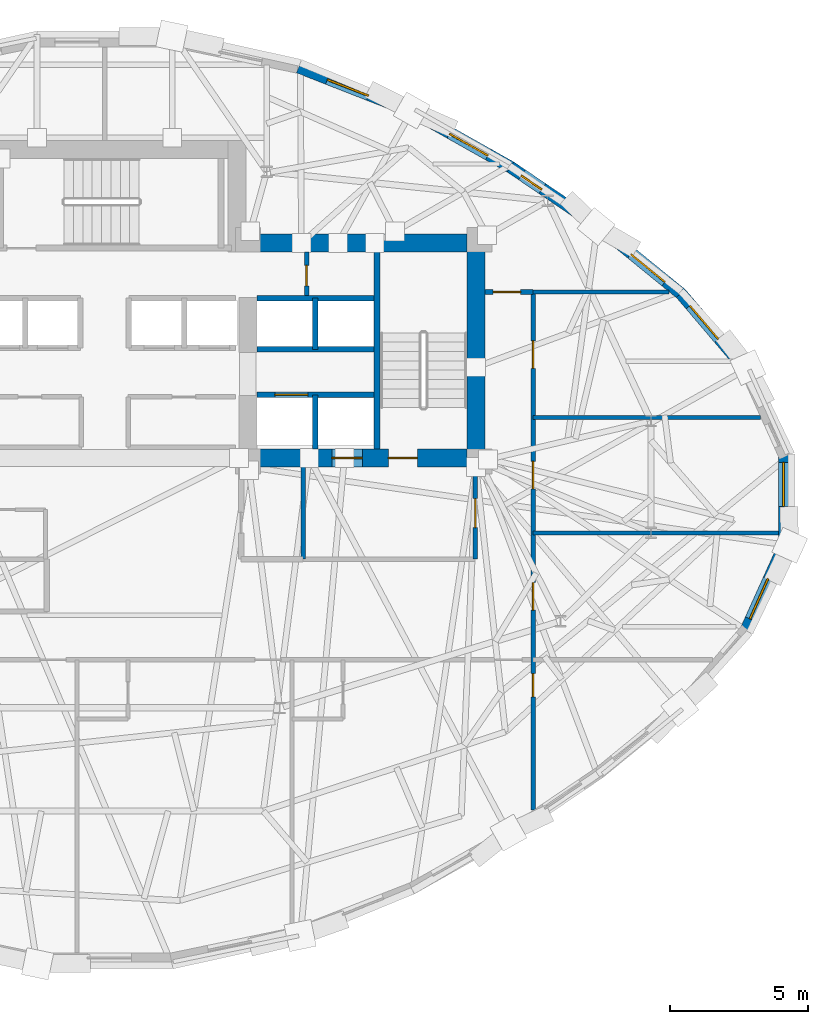
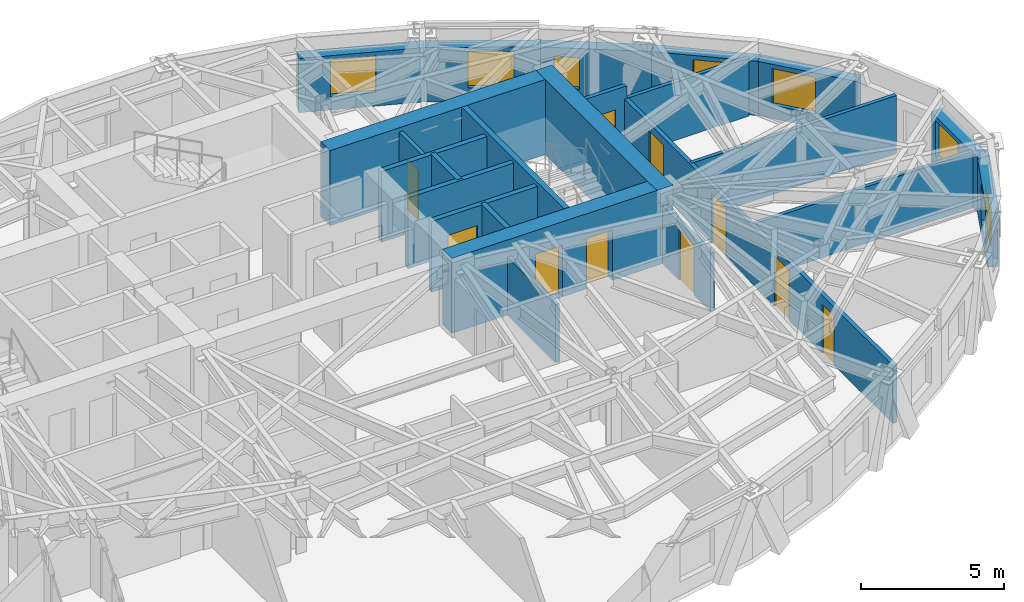
# One storey, part 9 of 14: 24 walls, 10 doors, 7 windows, 17 openings.
"""IFC4 building model written with IfcOpenShell, lengths in metres."""

from ifc_helpers import new_model, si_unit, direction, frame, frame_2d, origin, place, context, subcontext, project, spatial, rectangle, extrude, material, layer, layer_set, type_object, element, fill, save


model = new_model("IFC4")

# Units and contexts
model_context = context("Model", 3, precision=1e-05, world=origin(), true_north=direction((0.0, 1.0)))
body_context = subcontext(model_context, "Body", "Model", "MODEL_VIEW")
ifc_project = project(units=[si_unit("LENGTHUNIT", "METRE"), si_unit("AREAUNIT", "SQUARE_METRE"), si_unit("VOLUMEUNIT", "CUBIC_METRE"), si_unit("PLANEANGLEUNIT", "RADIAN"), si_unit("MASSUNIT", "GRAM", prefix="KILO")], contexts=[model_context])

# Site, building, storey
site_placement = place(None, origin())
site = spatial("IfcSite", under=ifc_project, at=site_placement, CompositionType="ELEMENT")
building_placement = place(site_placement, origin())
building = spatial("IfcBuilding", under=site, at=building_placement, Name="Keldmark Tower", CompositionType="ELEMENT")
storey_placement = place(building_placement, frame((0.0, 0.0, 182.199951171875)))
storey = spatial("IfcBuildingStorey", under=building, at=storey_placement, Name="L50", CompositionType="ELEMENT", Elevation=182.199951171875)

# Wall
ifc_material_1 = material(Name="Type X Fire-Rated Gypsum Partition Assembly", Category="gypsum")
ifc_layer_1 = layer(ifc_material_1, 0.1650390625)
ifc_layer_set_1 = layer_set([ifc_layer_1], Name="Type X Fire-Rated Gypsum Partition Assembly")
wall_type_1 = type_object("IfcWallType", Name="Rated Partition 165 mm", PredefinedType="PARTITIONING", material=ifc_layer_set_1)
wall_1_placement = place(storey_placement, frame((7.199951171875, -2.14990234375, 0.0), z_axis=(0.0, 0.0, 1.0), x_axis=(0.0, 1.0, 0.0)))
element("IfcWall", 1, at=wall_1_placement, inside=storey, type_object=wall_type_1, Name="L50 Rated Partition 165 mm FSAE-E-W", PredefinedType="PARTITIONING", context=body_context, shape_type="SweptSolid", body=[
    extrude(rectangle(XDim=3.39990234375, YDim=0.1650390625, at=frame_2d((1.699951171875, 0.0))), origin(), (0.0, 0.0, 1.0), 2.47314453125),
])

# Wall, opening, door
wall_2_placement = place(storey_placement, frame((13.449951171875, -2.14990234375, 0.0), z_axis=(0.0, 0.0, 1.0), x_axis=(0.0, 1.0, 0.0)))
wall_2 = element("IfcWall", 2, at=wall_2_placement, inside=storey, type_object=wall_type_1, Name="L50 Rated Partition 165 mm FSAE-E-E", PredefinedType="PARTITIONING", context=body_context, shape_type="SweptSolid", body=[
    extrude(rectangle(XDim=3.39990234375, YDim=0.1650390625, at=frame_2d((1.699951171875, 0.0))), origin(), (0.0, 0.0, 1.0), 2.47314453125),
])
opening_1_placement = place(wall_2_placement, frame((1.14990234375, 0.0, 0.0)))
opening_1 = element("IfcOpeningElement", 3, at=opening_1_placement, cuts=wall_2, Name="Opening D-FL105", PredefinedType="OPENING", context=body_context, shape_type="SweptSolid", body=[
    extrude(rectangle(XDim=1.050048828125, YDim=2.14990234375, at=frame_2d((0.52490234375, 1.074951171875))), frame((0.0, 0.092529296875, 0.0), z_axis=(0.0, -1.0, 0.0), x_axis=(1.0, 0.0, 0.0)), (0.0, 0.0, 1.0), 0.18505859375),
])
ifc_material_2 = material(Name="Fire-Rated Mineral-Core Door and Vision Lite", Category="metal")
door_type_1 = type_object("IfcDoorType", Name="Fire Lobby Door 1050x2150", OperationType="NOTDEFINED", PredefinedType="DOOR", material=ifc_material_2)
door_1_placement = place(opening_1_placement, origin())
door_1 = element("IfcDoor", 4, at=door_1_placement, inside=storey, type_object=door_type_1, Name="L50 Fire Lobby Door 1050x2150 D-FSAEE-OUT-L50", OperationType="SINGLE_SWING_LEFT", OverallHeight=2.14990234375, OverallWidth=1.050048828125, PredefinedType="DOOR", context=body_context, shape_type="SweptSolid", body=[
    extrude(rectangle(XDim=1.050048828125, YDim=2.14990234375, at=frame_2d((0.52490234375, 1.074951171875))), frame((0.0, 0.02490234375, 0.0), z_axis=(0.0, -1.0, 0.0), x_axis=(1.0, 0.0, 0.0)), (0.0, 0.0, 1.0), 0.050048828125),
])
fill(opening_1, door_1)

wall_3_placement = place(storey_placement, frame((7.330078125, 7.419921875, 0.0), z_axis=(0.0, 0.0, 1.0), x_axis=(0.0, 1.0, 0.0)))
wall_3 = element("IfcWall", 5, at=wall_3_placement, inside=storey, type_object=wall_type_1, Name="L50 Rated Partition 165 mm CS-NE-W", PredefinedType="PARTITIONING", context=body_context, shape_type="SweptSolid", body=[
    extrude(rectangle(XDim=1.580078125, YDim=0.1650390625, at=frame_2d((0.7900390625, 0.0))), origin(), (0.0, 0.0, 1.0), 3.02001953125),
])
opening_2_placement = place(wall_3_placement, frame((0.35009765625, 0.0, 0.0)))
opening_2 = element("IfcOpeningElement", 6, at=opening_2_placement, cuts=wall_3, Name="Opening D-RS075", PredefinedType="OPENING", context=body_context, shape_type="SweptSolid", body=[
    extrude(rectangle(XDim=0.75, YDim=2.10009765625, at=frame_2d((0.375, 1.050048828125))), frame((0.0, 0.092529296875, 0.0), z_axis=(0.0, -1.0, 0.0), x_axis=(1.0, 0.0, 0.0)), (0.0, 0.0, 1.0), 0.18505859375),
])
ifc_material_3 = material(Name="Galvanized Fire-Rated Access Leaf", Category="metal")
door_type_2 = type_object("IfcDoorType", Name="Riser Access Door 750x2100", OperationType="NOTDEFINED", PredefinedType="DOOR", material=ifc_material_3)
door_2_placement = place(opening_2_placement, origin())
door_2 = element("IfcDoor", 7, at=door_2_placement, inside=storey, type_object=door_type_2, Name="L50 Riser Access Door 750x2100 D-CSNE1-L50", OperationType="SINGLE_SWING_LEFT", OverallHeight=2.10009765625, OverallWidth=0.75, PredefinedType="DOOR", context=body_context, shape_type="SweptSolid", body=[
    extrude(rectangle(XDim=0.75, YDim=2.10009765625, at=frame_2d((0.375, 1.050048828125))), frame((0.0, 0.02490234375, 0.0), z_axis=(0.0, -1.0, 0.0), x_axis=(1.0, 0.0, 0.0)), (0.0, 0.0, 1.0), 0.050048828125),
])
fill(opening_2, door_2)

# Wall, openings, doors
wall_4_placement = place(storey_placement, frame((15.550048828125, -11.2568359375, 0.0), z_axis=(0.0, 0.0, 1.0), x_axis=(0.0, 1.0, 0.0)))
wall_4 = element("IfcWall", 8, at=wall_4_placement, inside=storey, type_object=wall_type_1, Name="L50 Rated Partition 165 mm HCOR-E", PredefinedType="PARTITIONING", context=body_context, shape_type="SweptSolid", body=[
    extrude(rectangle(XDim=18.806884765625, YDim=0.1650390625, at=frame_2d((9.4033203125, 0.0))), origin(), (0.0, 0.0, 1.0), 2.47314453125),
])
opening_3_placement = place(wall_4_placement, frame((4.1064453125, 0.0, 0.0)))
opening_3 = element("IfcOpeningElement", 9, at=opening_3_placement, cuts=wall_4, Name="Opening D-IN085", PredefinedType="OPENING", context=body_context, shape_type="SweptSolid", body=[
    extrude(rectangle(XDim=0.85009765625, YDim=2.10009765625, at=frame_2d((0.425048828125, 1.050048828125))), frame((0.0, 0.092529296875, 0.0), z_axis=(0.0, -1.0, 0.0), x_axis=(1.0, 0.0, 0.0)), (0.0, 0.0, 1.0), 0.18505859375),
])
opening_4_placement = place(wall_4_placement, frame((7.256591796875, 0.0, 0.0)))
opening_4 = element("IfcOpeningElement", 10, at=opening_4_placement, cuts=wall_4, Name="Opening D-FD100", PredefinedType="OPENING", context=body_context, shape_type="SweptSolid", body=[
    extrude(rectangle(XDim=1.0, YDim=2.14990234375, at=frame_2d((0.5, 1.074951171875))), frame((0.0, 0.092529296875, 0.0), z_axis=(0.0, -1.0, 0.0), x_axis=(1.0, 0.0, 0.0)), (0.0, 0.0, 1.0), 0.18505859375),
])
opening_5_placement = place(wall_4_placement, frame((11.656494140625, 0.0, 0.0)))
opening_5 = element("IfcOpeningElement", 11, at=opening_5_placement, cuts=wall_4, Name="Opening D-FD100", PredefinedType="OPENING", context=body_context, shape_type="SweptSolid", body=[
    extrude(rectangle(XDim=1.0, YDim=2.14990234375, at=frame_2d((0.5, 1.074951171875))), frame((0.0, 0.092529296875, 0.0), z_axis=(0.0, -1.0, 0.0), x_axis=(1.0, 0.0, 0.0)), (0.0, 0.0, 1.0), 0.18505859375),
])
opening_6_placement = place(wall_4_placement, frame((16.031494140625, 0.0, 0.0)))
opening_6 = element("IfcOpeningElement", 12, at=opening_6_placement, cuts=wall_4, Name="Opening D-FD100", PredefinedType="OPENING", context=body_context, shape_type="SweptSolid", body=[
    extrude(rectangle(XDim=1.0, YDim=2.14990234375, at=frame_2d((0.5, 1.074951171875))), frame((0.0, 0.092529296875, 0.0), z_axis=(0.0, -1.0, 0.0), x_axis=(1.0, 0.0, 0.0)), (0.0, 0.0, 1.0), 0.18505859375),
])
ifc_material_4 = material(Name="Hollow Metal Fire-Rated Corridor Door", Category="metal")
door_type_3 = type_object("IfcDoorType", Name="Fire Door 1000x2150", OperationType="NOTDEFINED", PredefinedType="DOOR", material=ifc_material_4)
door_3_placement = place(opening_4_placement, origin())
door_3 = element("IfcDoor", 13, at=door_3_placement, inside=storey, type_object=door_type_3, Name="L50 Fire Door 1000x2150 D-HESP-1-L50", OperationType="SINGLE_SWING_RIGHT", OverallHeight=2.14990234375, OverallWidth=1.0, PredefinedType="DOOR", context=body_context, shape_type="SweptSolid", body=[
    extrude(rectangle(XDim=1.0, YDim=2.14990234375, at=frame_2d((0.5, 1.074951171875))), frame((0.0, 0.02490234375, 0.0), z_axis=(0.0, -1.0, 0.0), x_axis=(1.0, 0.0, 0.0)), (0.0, 0.0, 1.0), 0.050048828125),
])
fill(opening_4, door_3)
door_4_placement = place(opening_5_placement, origin())
door_4 = element("IfcDoor", 14, at=door_4_placement, inside=storey, type_object=door_type_3, Name="L50 Fire Door 1000x2150 D-HESP-2-L50", OperationType="SINGLE_SWING_LEFT", OverallHeight=2.14990234375, OverallWidth=1.0, PredefinedType="DOOR", context=body_context, shape_type="SweptSolid", body=[
    extrude(rectangle(XDim=1.0, YDim=2.14990234375, at=frame_2d((0.5, 1.074951171875))), frame((0.0, 0.02490234375, 0.0), z_axis=(0.0, -1.0, 0.0), x_axis=(1.0, 0.0, 0.0)), (0.0, 0.0, 1.0), 0.050048828125),
])
fill(opening_5, door_4)
door_5_placement = place(opening_6_placement, origin())
door_5 = element("IfcDoor", 15, at=door_5_placement, inside=storey, type_object=door_type_3, Name="L50 Fire Door 1000x2150 D-HESP-3-L50", OperationType="SINGLE_SWING_LEFT", OverallHeight=2.14990234375, OverallWidth=1.0, PredefinedType="DOOR", context=body_context, shape_type="SweptSolid", body=[
    extrude(rectangle(XDim=1.0, YDim=2.14990234375, at=frame_2d((0.5, 1.074951171875))), frame((0.0, 0.02490234375, 0.0), z_axis=(0.0, -1.0, 0.0), x_axis=(1.0, 0.0, 0.0)), (0.0, 0.0, 1.0), 0.050048828125),
])
fill(opening_6, door_5)
ifc_material_5 = material(Name="Painted Architectural Wood", Category="wood")
door_type_4 = type_object("IfcDoorType", Name="Interior Door 850x2100", OperationType="NOTDEFINED", PredefinedType="DOOR", material=ifc_material_5)
door_6_placement = place(opening_3_placement, origin())
door_6 = element("IfcDoor", 16, at=door_6_placement, inside=storey, type_object=door_type_4, Name="L50 Interior Door 850x2100 D-HKSE-L50", OperationType="SINGLE_SWING_RIGHT", OverallHeight=2.10009765625, OverallWidth=0.85009765625, PredefinedType="DOOR", context=body_context, shape_type="SweptSolid", body=[
    extrude(rectangle(XDim=0.85009765625, YDim=2.10009765625, at=frame_2d((0.425048828125, 1.050048828125))), frame((0.0, 0.02490234375, 0.0), z_axis=(0.0, -1.0, 0.0), x_axis=(1.0, 0.0, 0.0)), (0.0, 0.0, 1.0), 0.050048828125),
])
fill(opening_3, door_6)

# Wall, opening, door
wall_5_placement = place(storey_placement, frame((13.800048828125, 7.550048828125, 0.0), z_axis=(0.0, 0.0, 1.0), x_axis=(1.0, 0.0, 0.0)))
wall_5 = element("IfcWall", 17, at=wall_5_placement, inside=storey, type_object=wall_type_1, Name="L50 Rated Partition 165 mm HCOR-EN", PredefinedType="PARTITIONING", context=body_context, shape_type="SweptSolid", body=[
    extrude(rectangle(XDim=1.75, YDim=0.1650390625, at=frame_2d((0.875, 0.0))), origin(), (0.0, 0.0, 1.0), 3.02001953125),
])
opening_7_placement = place(wall_5_placement, frame((0.300048828125, 0.0, 0.0)))
opening_7 = element("IfcOpeningElement", 18, at=opening_7_placement, cuts=wall_5, Name="Opening D-FD100", PredefinedType="OPENING", context=body_context, shape_type="SweptSolid", body=[
    extrude(rectangle(XDim=1.0, YDim=2.14990234375, at=frame_2d((0.5, 1.074951171875))), frame((0.0, 0.092529296875, 0.0), z_axis=(0.0, -1.0, 0.0), x_axis=(1.0, 0.0, 0.0)), (0.0, 0.0, 1.0), 0.18505859375),
])
door_7_placement = place(opening_7_placement, origin())
door_7 = element("IfcDoor", 19, at=door_7_placement, inside=storey, type_object=door_type_3, Name="L50 Fire Door 1000x2150 D-HNNE-L50", OperationType="SINGLE_SWING_RIGHT", OverallHeight=2.14990234375, OverallWidth=1.0, PredefinedType="DOOR", context=body_context, shape_type="SweptSolid", body=[
    extrude(rectangle(XDim=1.0, YDim=2.14990234375, at=frame_2d((0.5, 1.074951171875))), frame((0.0, 0.02490234375, 0.0), z_axis=(0.0, -1.0, 0.0), x_axis=(1.0, 0.0, 0.0)), (0.0, 0.0, 1.0), 0.050048828125),
])
fill(opening_7, door_7)

ifc_material_6 = material(Name="Fire-Resistant Type X Gypsum Shaftliner Coreboard", Category="gypsum")
ifc_layer_2 = layer(ifc_material_6, 0.199951171875)
ifc_layer_set_2 = layer_set([ifc_layer_2], Name="Fire-Resistant Type X Gypsum Shaftliner Coreboard")
wall_type_2 = type_object("IfcWallType", Name="Shaft Wall 200 mm", PredefinedType="SOLIDWALL", material=ifc_layer_set_2)
wall_6_placement = place(storey_placement, frame((5.52490234375, 3.820068359375, 0.0), z_axis=(0.0, 0.0, 1.0), x_axis=(1.0, 0.0, 0.0)))
wall_6 = element("IfcWall", 20, at=wall_6_placement, inside=storey, type_object=wall_type_2, Name="L50 Shaft Wall 200 mm HW-E-S", PredefinedType="SOLIDWALL", context=body_context, shape_type="SweptSolid", body=[
    extrude(rectangle(XDim=4.255126953125, YDim=0.199951171875, at=frame_2d((2.12744140625, 0.0))), origin(), (0.0, 0.0, 1.0), 3.02001953125),
])
opening_8_placement = place(wall_6_placement, frame((0.64990234375, 0.0, 0.0)))
opening_8 = element("IfcOpeningElement", 21, at=opening_8_placement, cuts=wall_6, Name="Opening LD-120", PredefinedType="OPENING", context=body_context, shape_type="SweptSolid", body=[
    extrude(rectangle(XDim=1.199951171875, YDim=2.199951171875, at=frame_2d((0.60009765625, 1.10009765625))), frame((0.0, 0.10986328125, 0.0), z_axis=(0.0, -1.0, 0.0), x_axis=(1.0, 0.0, 0.0)), (0.0, 0.0, 1.0), 0.219970703125),
])
ifc_material_7 = material(Name="Heavy-Duty Brushed Metal Hoistway Sliding Leaf", Category="metal")
door_type_5 = type_object("IfcDoorType", Name="Service Lift Sliding Door 1200x2200", OperationType="SLIDING_TO_RIGHT", PredefinedType="DOOR", material=ifc_material_7)
door_8_placement = place(opening_8_placement, origin())
door_8 = element("IfcDoor", 22, at=door_8_placement, inside=storey, type_object=door_type_5, Name="L50 Service Lift Sliding Door 1200x2200 LD-EL-SV1-L50", OperationType="SLIDING_TO_RIGHT", OverallHeight=2.199951171875, OverallWidth=1.199951171875, PredefinedType="DOOR", context=body_context, shape_type="SweptSolid", body=[
    extrude(rectangle(XDim=1.199951171875, YDim=2.199951171875, at=frame_2d((0.60009765625, 1.10009765625))), frame((0.0, 0.02490234375, 0.0), z_axis=(0.0, -1.0, 0.0), x_axis=(1.0, 0.0, 0.0)), (0.0, 0.0, 1.0), 0.050048828125),
])
fill(opening_8, door_8)

# Walls
wall_7_placement = place(storey_placement, frame((7.64990234375, 1.85009765625, 0.0), z_axis=(0.0, 0.0, 1.0), x_axis=(0.0, 1.0, 0.0)))
element("IfcWall", 23, at=wall_7_placement, inside=storey, type_object=wall_type_2, Name="L50 Shaft Wall 200 mm HW-E-M", PredefinedType="SOLIDWALL", context=body_context, shape_type="SweptSolid", body=[
    extrude(rectangle(XDim=1.969970703125, YDim=0.199951171875, at=frame_2d((0.98486328125, 0.0))), origin(), (0.0, 0.0, 1.0), 3.02001953125),
])
for number, where, z_axis, x_axis, name in (
    (24, (5.52490234375, 5.469970703125, 0.0), (0.0, 0.0, 1.0), (1.0, 0.0, 0.0), "L50 Shaft Wall 200 mm HW-E-N"),
    (25, (5.52490234375, 7.330078125, 0.0), (0.0, 0.0, 1.0), (1.0, 0.0, 0.0), "L50 Shaft Wall 200 mm HW-E-TOP"),
):
    element("IfcWall", number, at=place(storey_placement, frame(where, z_axis=z_axis, x_axis=x_axis)), inside=storey, type_object=wall_type_2, Name=name, PredefinedType="SOLIDWALL", context=body_context, shape_type="SweptSolid", body=[
        extrude(rectangle(XDim=4.255126953125, YDim=0.199951171875, at=frame_2d((2.12744140625, 0.0))), origin(), (0.0, 0.0, 1.0), 3.02001953125),
    ])
wall_8_placement = place(storey_placement, frame((7.64990234375, 5.469970703125, 0.0), z_axis=(0.0, 0.0, 1.0), x_axis=(0.0, 1.0, 0.0)))
element("IfcWall", 26, at=wall_8_placement, inside=storey, type_object=wall_type_2, Name="L50 Shaft Wall 200 mm HW-E-NM", PredefinedType="SOLIDWALL", context=body_context, shape_type="SweptSolid", body=[
    extrude(rectangle(XDim=1.860107421875, YDim=0.199951171875, at=frame_2d((0.93017578125, 0.0))), origin(), (0.0, 0.0, 1.0), 3.02001953125),
])
ifc_material_8 = material(Name="Concrete C50/60", Category="concrete")
ifc_layer_3 = layer(ifc_material_8, 0.219970703125)
ifc_layer_set_3 = layer_set([ifc_layer_3], Name="Concrete C50/60")
wall_type_3 = type_object("IfcWallType", Name="Stair Core Shear Wall 220 mm", PredefinedType="SHEAR", material=ifc_layer_set_3)
wall_9_placement = place(storey_placement, frame((9.889892578125, 1.85009765625, 0.0), z_axis=(0.0, 0.0, 1.0), x_axis=(0.0, 1.0, 0.0)))
element("IfcWall", 27, at=wall_9_placement, inside=storey, type_object=wall_type_3, Name="L50 East Stair Core Shear Wall", PredefinedType="SHEAR", context=body_context, shape_type="SweptSolid", body=[
    extrude(rectangle(XDim=7.14990234375, YDim=0.219970703125, at=frame_2d((3.574951171875, 0.0))), origin(), (0.0, 0.0, 1.0), 3.199951171875),
])

# Wall, opening, window
ifc_material_9 = material(Name="Ironspot Manganese Brick and Kasota Buff Limestone Spandrel Assembly", Category="masonry")
ifc_layer_4 = layer(ifc_material_9, 0.43994140625)
ifc_layer_set_4 = layer_set([ifc_layer_4], Name="Ironspot Manganese Brick and Kasota Buff Limestone Spandrel Assembly")
wall_type_4 = type_object("IfcWallType", Name="Tower Brick Pier and Spandrel Wall 440 mm", PredefinedType="STANDARD", material=ifc_layer_set_4)
wall_10_placement = place(storey_placement, frame((20.914306640625, 7.49658203125, 0.0), z_axis=(0.0, 0.0, 1.0), x_axis=(0.648014991522, -0.761627580096, 0.0)))
wall_10 = element("IfcWall", 28, at=wall_10_placement, inside=storey, type_object=wall_type_4, Name="L50 Exterior Brick and Spandrel Wall 02", PredefinedType="STANDARD", context=body_context, shape_type="SweptSolid", body=[
    extrude(rectangle(XDim=3.69189453125, YDim=0.43994140625, at=frame_2d((1.845947265625, 0.0))), origin(), (0.0, 0.0, 1.0), 2.31494140625),
])
opening_9_placement = place(wall_10_placement, frame((0.54833984375, 0.0, 0.580078125)))
opening_9 = element("IfcOpeningElement", 29, at=opening_9_placement, cuts=wall_10, Name="Opening W-04", PredefinedType="OPENING", context=body_context, shape_type="SweptSolid", body=[
    extrude(rectangle(XDim=1.60009765625, YDim=1.550048828125, at=frame_2d((0.800048828125, 0.77490234375))), frame((0.0, 0.22998046875, 0.0), z_axis=(0.0, -1.0, 0.0), x_axis=(1.0, 0.0, 0.0)), (0.0, 0.0, 1.0), 0.4599609375),
])
ifc_material_10 = material(Name="Thermally Broken Anodized Aluminum and Triple Low-E Argon Glazing", Category="aluminium")
window_type_1 = type_object("IfcWindowType", Name="Hotel Deep-Set Operable Window 1600x1550", PartitioningType="DOUBLE_PANEL_HORIZONTAL", PredefinedType="WINDOW", material=ifc_material_10)
window_1_placement = place(opening_9_placement, origin())
window_1 = element("IfcWindow", 30, at=window_1_placement, inside=storey, type_object=window_type_1, Name="L50 Deep-Set Window 02", OverallHeight=1.550048828125, OverallWidth=1.60009765625, PartitioningType="SINGLE_PANEL", PredefinedType="WINDOW", context=body_context, shape_type="SweptSolid", body=[
    extrude(rectangle(XDim=1.60009765625, YDim=1.550048828125, at=frame_2d((0.800048828125, 0.77490234375))), frame((0.0, -0.010009765625, 0.0), z_axis=(0.0, -1.0, 0.0), x_axis=(1.0, 0.0, 0.0)), (0.0, 0.0, 1.0), 0.06005859375),
])
fill(opening_9, window_1)

wall_11_placement = place(storey_placement, frame((17.96044921875, 9.899169921875, 0.0), z_axis=(0.0, 0.0, 1.0), x_axis=(0.77522232587, -0.631688487684, 0.0)))
wall_11 = element("IfcWall", 31, at=wall_11_placement, inside=storey, type_object=wall_type_4, Name="L50 Exterior Brick and Spandrel Wall 03", PredefinedType="STANDARD", context=body_context, shape_type="SweptSolid", body=[
    extrude(rectangle(XDim=3.847412109375, YDim=0.43994140625, at=frame_2d((1.923828125, 0.0))), origin(), (0.0, 0.0, 1.0), 2.31494140625),
])
opening_10_placement = place(wall_11_placement, frame((1.498291015625, 0.0, 0.580078125)))
opening_10 = element("IfcOpeningElement", 32, at=opening_10_placement, cuts=wall_11, Name="Opening W-04", PredefinedType="OPENING", context=body_context, shape_type="SweptSolid", body=[
    extrude(rectangle(XDim=1.60009765625, YDim=1.550048828125, at=frame_2d((0.800048828125, 0.77490234375))), frame((0.0, 0.22998046875, 0.0), z_axis=(0.0, -1.0, 0.0), x_axis=(1.0, 0.0, 0.0)), (0.0, 0.0, 1.0), 0.4599609375),
])
window_2_placement = place(opening_10_placement, origin())
window_2 = element("IfcWindow", 33, at=window_2_placement, inside=storey, type_object=window_type_1, Name="L50 Deep-Set Window 03", OverallHeight=1.550048828125, OverallWidth=1.60009765625, PartitioningType="SINGLE_PANEL", PredefinedType="WINDOW", context=body_context, shape_type="SweptSolid", body=[
    extrude(rectangle(XDim=1.60009765625, YDim=1.550048828125, at=frame_2d((0.800048828125, 0.77490234375))), frame((0.0, -0.010009765625, 0.0), z_axis=(0.0, -1.0, 0.0), x_axis=(1.0, 0.0, 0.0)), (0.0, 0.0, 1.0), 0.06005859375),
])
fill(opening_10, window_2)

wall_12_placement = place(storey_placement, frame((14.73046875, 12.087890625, 0.0), z_axis=(0.0, 0.0, 1.0), x_axis=(0.827733986143, -0.561120707321, 0.0)))
wall_12 = element("IfcWall", 34, at=wall_12_placement, inside=storey, type_object=wall_type_4, Name="L50 Exterior Brick and Spandrel Wall 04", PredefinedType="STANDARD", context=body_context, shape_type="SweptSolid", body=[
    extrude(rectangle(XDim=3.921142578125, YDim=0.43994140625, at=frame_2d((1.96044921875, 0.0))), origin(), (0.0, 0.0, 1.0), 2.31494140625),
])
opening_11_placement = place(wall_12_placement, frame((0.49658203125, 0.0, 0.580078125)))
opening_11 = element("IfcOpeningElement", 35, at=opening_11_placement, cuts=wall_12, Name="Opening W-09", PredefinedType="OPENING", context=body_context, shape_type="SweptSolid", body=[
    extrude(rectangle(XDim=0.89990234375, YDim=1.35009765625, at=frame_2d((0.449951171875, 0.675048828125))), frame((0.0, 0.22998046875, 0.0), z_axis=(0.0, -1.0, 0.0), x_axis=(1.0, 0.0, 0.0)), (0.0, 0.0, 1.0), 0.4599609375),
])
ifc_material_11 = material(Name="Thermally Broken Anodized Aluminum and Triple Low-E Argon Glazing", Category="aluminium")
window_type_2 = type_object("IfcWindowType", Name="Corner Pier Deep-Set Window 900x1350", PartitioningType="SINGLE_PANEL", PredefinedType="WINDOW", material=ifc_material_11)
window_3_placement = place(opening_11_placement, origin())
window_3 = element("IfcWindow", 36, at=window_3_placement, inside=storey, type_object=window_type_2, Name="L50 Deep-Set Window 04", OverallHeight=1.35009765625, OverallWidth=0.89990234375, PartitioningType="SINGLE_PANEL", PredefinedType="WINDOW", context=body_context, shape_type="SweptSolid", body=[
    extrude(rectangle(XDim=0.89990234375, YDim=1.35009765625, at=frame_2d((0.449951171875, 0.675048828125))), frame((0.0, -0.010009765625, 0.0), z_axis=(0.0, -1.0, 0.0), x_axis=(1.0, 0.0, 0.0)), (0.0, 0.0, 1.0), 0.06005859375),
])
fill(opening_11, window_3)

wall_13_placement = place(storey_placement, frame((11.160400390625, 14.100341796875, 0.0), z_axis=(0.0, 0.0, 1.0), x_axis=(0.871039635509, -0.491212737388, 0.0)))
wall_13 = element("IfcWall", 37, at=wall_13_placement, inside=storey, type_object=wall_type_4, Name="L50 Exterior Brick and Spandrel Wall 05", PredefinedType="STANDARD", context=body_context, shape_type="SweptSolid", body=[
    extrude(rectangle(XDim=4.1162109375, YDim=0.43994140625, at=frame_2d((2.05810546875, 0.0))), origin(), (0.0, 0.0, 1.0), 2.31494140625),
])
opening_12_placement = place(wall_13_placement, frame((1.577880859375, 0.0, 0.580078125)))
opening_12 = element("IfcOpeningElement", 38, at=opening_12_placement, cuts=wall_13, Name="Opening W-04", PredefinedType="OPENING", context=body_context, shape_type="SweptSolid", body=[
    extrude(rectangle(XDim=1.60009765625, YDim=1.550048828125, at=frame_2d((0.800048828125, 0.77490234375))), frame((0.0, 0.22998046875, 0.0), z_axis=(0.0, -1.0, 0.0), x_axis=(1.0, 0.0, 0.0)), (0.0, 0.0, 1.0), 0.4599609375),
])
window_4_placement = place(opening_12_placement, origin())
window_4 = element("IfcWindow", 39, at=window_4_placement, inside=storey, type_object=window_type_1, Name="L50 Deep-Set Window 05", OverallHeight=1.550048828125, OverallWidth=1.60009765625, PartitioningType="SINGLE_PANEL", PredefinedType="WINDOW", context=body_context, shape_type="SweptSolid", body=[
    extrude(rectangle(XDim=1.60009765625, YDim=1.550048828125, at=frame_2d((0.800048828125, 0.77490234375))), frame((0.0, -0.010009765625, 0.0), z_axis=(0.0, -1.0, 0.0), x_axis=(1.0, 0.0, 0.0)), (0.0, 0.0, 1.0), 0.06005859375),
])
fill(opening_12, window_4)

wall_14_placement = place(storey_placement, frame((7.040771484375, 15.708740234375, 0.0), z_axis=(0.0, 0.0, 1.0), x_axis=(0.93133333838, -0.364167836062, 0.0)))
wall_14 = element("IfcWall", 40, at=wall_14_placement, inside=storey, type_object=wall_type_4, Name="L50 Exterior Brick and Spandrel Wall 06", PredefinedType="STANDARD", context=body_context, shape_type="SweptSolid", body=[
    extrude(rectangle(XDim=4.45361328125, YDim=0.43994140625, at=frame_2d((2.226806640625, 0.0))), origin(), (0.0, 0.0, 1.0), 2.31494140625),
])
opening_13_placement = place(wall_14_placement, frame((1.13232421875, 0.0, 0.580078125)))
opening_13 = element("IfcOpeningElement", 41, at=opening_13_placement, cuts=wall_14, Name="Opening W-04", PredefinedType="OPENING", context=body_context, shape_type="SweptSolid", body=[
    extrude(rectangle(XDim=1.60009765625, YDim=1.550048828125, at=frame_2d((0.800048828125, 0.77490234375))), frame((0.0, 0.22998046875, 0.0), z_axis=(0.0, -1.0, 0.0), x_axis=(1.0, 0.0, 0.0)), (0.0, 0.0, 1.0), 0.4599609375),
])
window_5_placement = place(opening_13_placement, origin())
window_5 = element("IfcWindow", 42, at=window_5_placement, inside=storey, type_object=window_type_1, Name="L50 Deep-Set Window 06", OverallHeight=1.550048828125, OverallWidth=1.60009765625, PartitioningType="SINGLE_PANEL", PredefinedType="WINDOW", context=body_context, shape_type="SweptSolid", body=[
    extrude(rectangle(XDim=1.60009765625, YDim=1.550048828125, at=frame_2d((0.800048828125, 0.77490234375))), frame((0.0, -0.010009765625, 0.0), z_axis=(0.0, -1.0, 0.0), x_axis=(1.0, 0.0, 0.0)), (0.0, 0.0, 1.0), 0.06005859375),
])
fill(opening_13, window_5)

wall_15_placement = place(storey_placement, frame((24.69970703125, -1.572265625, 0.0), z_axis=(0.0, 0.0, 1.0), x_axis=(-0.410812065386, -0.911720048553, 0.0)))
wall_15 = element("IfcWall", 43, at=wall_15_placement, inside=storey, type_object=wall_type_4, Name="L50 Exterior Brick and Spandrel Wall 31", PredefinedType="STANDARD", context=body_context, shape_type="SweptSolid", body=[
    extrude(rectangle(XDim=3.47119140625, YDim=0.43994140625, at=frame_2d((1.735595703125, 0.0))), origin(), (0.0, 0.0, 1.0), 2.31494140625),
])
opening_14_placement = place(wall_15_placement, frame((1.426025390625, 0.0, 0.580078125)))
opening_14 = element("IfcOpeningElement", 44, at=opening_14_placement, cuts=wall_15, Name="Opening W-04", PredefinedType="OPENING", context=body_context, shape_type="SweptSolid", body=[
    extrude(rectangle(XDim=1.60009765625, YDim=1.550048828125, at=frame_2d((0.800048828125, 0.77490234375))), frame((0.0, 0.22998046875, 0.0), z_axis=(0.0, -1.0, 0.0), x_axis=(1.0, 0.0, 0.0)), (0.0, 0.0, 1.0), 0.4599609375),
])
window_6_placement = place(opening_14_placement, origin())
window_6 = element("IfcWindow", 45, at=window_6_placement, inside=storey, type_object=window_type_1, Name="L50 Deep-Set Window 31", OverallHeight=1.550048828125, OverallWidth=1.60009765625, PartitioningType="SINGLE_PANEL", PredefinedType="WINDOW", context=body_context, shape_type="SweptSolid", body=[
    extrude(rectangle(XDim=1.60009765625, YDim=1.550048828125, at=frame_2d((0.800048828125, 0.77490234375))), frame((0.0, -0.010009765625, 0.0), z_axis=(0.0, -1.0, 0.0), x_axis=(1.0, 0.0, 0.0)), (0.0, 0.0, 1.0), 0.06005859375),
])
fill(opening_14, window_6)

wall_16_placement = place(storey_placement, frame((24.680419921875, 1.66259765625, 0.0), z_axis=(0.0, 0.0, 1.0), x_axis=(0.0, -1.0, 0.0)))
wall_16 = element("IfcWall", 46, at=wall_16_placement, inside=storey, type_object=wall_type_4, Name="L50 Exterior Brick and Spandrel Wall 32", PredefinedType="STANDARD", context=body_context, shape_type="SweptSolid", body=[
    extrude(rectangle(XDim=3.3251953125, YDim=0.43994140625, at=frame_2d((1.66259765625, 0.0))), origin(), (0.0, 0.0, 1.0), 2.31494140625),
])
opening_15_placement = place(wall_16_placement, frame((0.298095703125, 0.0, 0.580078125)))
opening_15 = element("IfcOpeningElement", 47, at=opening_15_placement, cuts=wall_16, Name="Opening W-04", PredefinedType="OPENING", context=body_context, shape_type="SweptSolid", body=[
    extrude(rectangle(XDim=1.60009765625, YDim=1.550048828125, at=frame_2d((0.800048828125, 0.77490234375))), frame((0.0, 0.22998046875, 0.0), z_axis=(0.0, -1.0, 0.0), x_axis=(1.0, 0.0, 0.0)), (0.0, 0.0, 1.0), 0.4599609375),
])
window_7_placement = place(opening_15_placement, origin())
window_7 = element("IfcWindow", 48, at=window_7_placement, inside=storey, type_object=window_type_1, Name="L50 Deep-Set Window 32", OverallHeight=1.550048828125, OverallWidth=1.60009765625, PartitioningType="SINGLE_PANEL", PredefinedType="WINDOW", context=body_context, shape_type="SweptSolid", body=[
    extrude(rectangle(XDim=1.60009765625, YDim=1.550048828125, at=frame_2d((0.800048828125, 0.77490234375))), frame((0.0, -0.010009765625, 0.0), z_axis=(0.0, -1.0, 0.0), x_axis=(1.0, 0.0, 0.0)), (0.0, 0.0, 1.0), 0.06005859375),
])
fill(opening_15, window_7)

# Walls
ifc_material_12 = material(Name="Concrete C50/60", Category="concrete")
ifc_layer_5 = layer(ifc_material_12, 0.64990234375)
ifc_layer_set_5 = layer_set([ifc_layer_5], Name="Concrete C50/60")
wall_type_5 = type_object("IfcWallType", Name="Upper-Mid Core Shear Wall 650 mm", PredefinedType="SHEAR", material=ifc_layer_set_5)
wall_17_placement = place(storey_placement, frame((13.47509765625, 1.199951171875, 0.0), z_axis=(0.0, 0.0, 1.0), x_axis=(0.0, 1.0, 0.0)))
element("IfcWall", 49, at=wall_17_placement, inside=storey, type_object=wall_type_5, Name="L50 East Core Outer Shear Wall", PredefinedType="SHEAR", context=body_context, shape_type="SweptSolid", body=[
    extrude(rectangle(XDim=8.449951171875, YDim=0.64990234375, at=frame_2d((4.22509765625, 0.0))), origin(), (0.0, 0.0, 1.0), 3.199951171875),
])
wall_18_placement = place(storey_placement, frame((4.47509765625, 9.324951171875, 0.0), z_axis=(0.0, 0.0, 1.0), x_axis=(1.0, 0.0, 0.0)))
element("IfcWall", 50, at=wall_18_placement, inside=storey, type_object=wall_type_5, Name="L50 East Core North Shear Wall", PredefinedType="SHEAR", context=body_context, shape_type="SweptSolid", body=[
    extrude(rectangle(XDim=9.324951171875, YDim=0.64990234375, at=frame_2d((4.66259765625, 0.0))), origin(), (0.0, 0.0, 1.0), 3.199951171875),
])

# Wall, openings, doors
wall_19_placement = place(storey_placement, frame((13.800048828125, 1.52490234375, 0.0), z_axis=(0.0, 0.0, 1.0), x_axis=(-1.0, 0.0, 0.0)))
wall_19 = element("IfcWall", 51, at=wall_19_placement, inside=storey, type_object=wall_type_5, Name="L50 East Core South Shear Wall", PredefinedType="SHEAR", context=body_context, shape_type="SweptSolid", body=[
    extrude(rectangle(XDim=8.925048828125, YDim=0.64990234375, at=frame_2d((4.46240234375, 0.0))), origin(), (0.0, 0.0, 1.0), 3.199951171875),
])
opening_16_placement = place(wall_19_placement, frame((2.449951171875, 0.0, 0.0)))
opening_16 = element("IfcOpeningElement", 52, at=opening_16_placement, cuts=wall_19, Name="Opening D-ST105", PredefinedType="OPENING", context=body_context, shape_type="SweptSolid", body=[
    extrude(rectangle(XDim=1.050048828125, YDim=2.14990234375, at=frame_2d((0.52490234375, 1.074951171875))), frame((0.0, 0.3349609375, 0.0), z_axis=(0.0, -1.0, 0.0), x_axis=(1.0, 0.0, 0.0)), (0.0, 0.0, 1.0), 0.669921875),
])
opening_17_placement = place(wall_19_placement, frame((4.449951171875, 0.0, 0.0)))
opening_17 = element("IfcOpeningElement", 53, at=opening_17_placement, cuts=wall_19, Name="Opening LD-110", PredefinedType="OPENING", context=body_context, shape_type="SweptSolid", body=[
    extrude(rectangle(XDim=1.10009765625, YDim=2.199951171875, at=frame_2d((0.550048828125, 1.10009765625))), frame((0.0, 0.3349609375, 0.0), z_axis=(0.0, -1.0, 0.0), x_axis=(1.0, 0.0, 0.0)), (0.0, 0.0, 1.0), 0.669921875),
])
ifc_material_13 = material(Name="Brushed Bronze Hoistway Sliding Leaf", Category="metal")
door_type_6 = type_object("IfcDoorType", Name="Lift Landing Sliding Door 1100x2200", OperationType="SLIDING_TO_LEFT", PredefinedType="DOOR", material=ifc_material_13)
door_9_placement = place(opening_17_placement, origin())
door_9 = element("IfcDoor", 54, at=door_9_placement, inside=storey, type_object=door_type_6, Name="L50 Lift Landing Sliding Door 1100x2200 LD-EL-FS2-L50", OperationType="SLIDING_TO_LEFT", OverallHeight=2.199951171875, OverallWidth=1.10009765625, PredefinedType="DOOR", context=body_context, shape_type="SweptSolid", body=[
    extrude(rectangle(XDim=1.10009765625, YDim=2.199951171875, at=frame_2d((0.550048828125, 1.10009765625))), frame((0.0, 0.02490234375, 0.0), z_axis=(0.0, -1.0, 0.0), x_axis=(1.0, 0.0, 0.0)), (0.0, 0.0, 1.0), 0.050048828125),
])
fill(opening_17, door_9)
ifc_material_14 = material(Name="Hollow Metal Fire-Rated Door Assembly", Category="metal")
door_type_7 = type_object("IfcDoorType", Name="Stair Fire Door 1050x2150", OperationType="NOTDEFINED", PredefinedType="DOOR", material=ifc_material_14)
door_10_placement = place(opening_16_placement, origin())
door_10 = element("IfcDoor", 55, at=door_10_placement, inside=storey, type_object=door_type_7, Name="L50 Stair Fire Door 1050x2150 D-ST2-L50", OperationType="SINGLE_SWING_LEFT", OverallHeight=2.14990234375, OverallWidth=1.050048828125, PredefinedType="DOOR", context=body_context, shape_type="SweptSolid", body=[
    extrude(rectangle(XDim=1.050048828125, YDim=2.14990234375, at=frame_2d((0.52490234375, 1.074951171875))), frame((0.0, 0.02490234375, 0.0), z_axis=(0.0, -1.0, 0.0), x_axis=(1.0, 0.0, 0.0)), (0.0, 0.0, 1.0), 0.050048828125),
])
fill(opening_16, door_10)

# Walls
ifc_material_15 = material(Name="Moisture-Resistant Gypsum Plumbing Partition", Category="gypsum")
ifc_layer_6 = layer(ifc_material_15, 0.14990234375)
ifc_layer_set_6 = layer_set([ifc_layer_6], Name="Moisture-Resistant Gypsum Plumbing Partition")
wall_type_6 = type_object("IfcWallType", Name="Wet Wall 150 mm", PredefinedType="PLUMBINGWALL", material=ifc_layer_set_6)
wall_20_placement = place(storey_placement, frame((15.550048828125, 7.550048828125, 0.0), z_axis=(0.0, 0.0, 1.0), x_axis=(1.0, 0.0, 0.0)))
element("IfcWall", 56, at=wall_20_placement, inside=storey, type_object=wall_type_6, Name="L50 Wet Wall 150 mm HE-CAP-N", PredefinedType="PLUMBINGWALL", context=body_context, shape_type="SweptSolid", body=[
    extrude(rectangle(XDim=4.932373046875, YDim=0.14990234375, at=frame_2d((2.46630859375, 0.0))), origin(), (0.0, 0.0, 1.0), 2.47314453125),
])
wall_21_placement = place(storey_placement, frame((15.550048828125, -1.199951171875, 0.0), z_axis=(0.0, 0.0, 1.0), x_axis=(1.0, 0.0, 0.0)))
element("IfcWall", 57, at=wall_21_placement, inside=storey, type_object=wall_type_6, Name="L50 Wet Wall 150 mm HE-DIV-1", PredefinedType="PLUMBINGWALL", context=body_context, shape_type="SweptSolid", body=[
    extrude(rectangle(XDim=8.90234375, YDim=0.14990234375, at=frame_2d((4.451171875, 0.0))), origin(), (0.0, 0.0, 1.0), 2.39794921875),
])
wall_22_placement = place(storey_placement, frame((15.550048828125, 3.0, 0.0), z_axis=(0.0, 0.0, 1.0), x_axis=(1.0, 0.0, 0.0)))
element("IfcWall", 58, at=wall_22_placement, inside=storey, type_object=wall_type_6, Name="L50 Wet Wall 150 mm HE-DIV-2", PredefinedType="PLUMBINGWALL", context=body_context, shape_type="SweptSolid", body=[
    extrude(rectangle(XDim=8.25634765625, YDim=0.14990234375, at=frame_2d((4.128173828125, 0.0))), origin(), (0.0, 0.0, 1.0), 2.47314453125),
])

save(model, "model.ifc")
